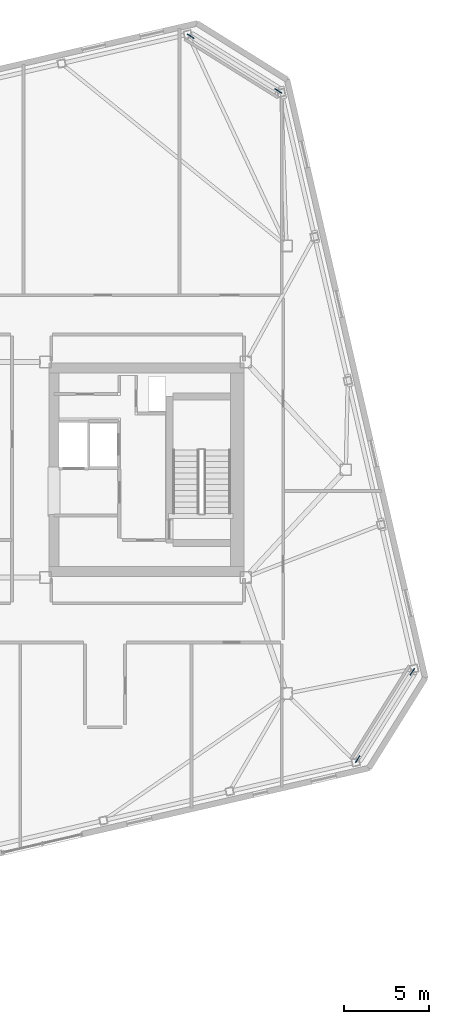
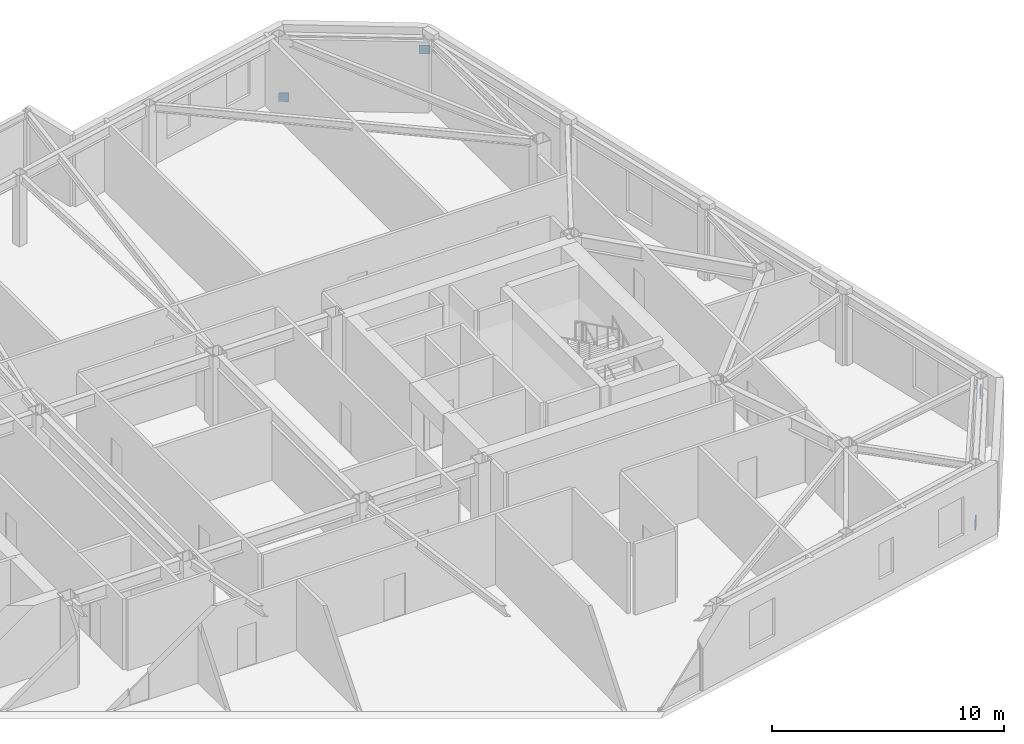
# One storey, part 21 of 22: 4 discrete accessories.
"""IFC4 building model written with IfcOpenShell, lengths in metres."""

from ifc_helpers import new_model, si_unit, direction, frame, origin, origin_2d, place, context, subcontext, project, spatial, rectangle, extrude, material, type_object, element, save


model = new_model("IFC4")

# Units and contexts
model_context = context("Model", 3, precision=1e-05, world=origin(), true_north=direction((0.0, 1.0)))
body_context = subcontext(model_context, "Body", "Model", "MODEL_VIEW")
ifc_project = project(units=[si_unit("LENGTHUNIT", "METRE"), si_unit("AREAUNIT", "SQUARE_METRE"), si_unit("VOLUMEUNIT", "CUBIC_METRE"), si_unit("PLANEANGLEUNIT", "RADIAN"), si_unit("MASSUNIT", "GRAM", prefix="KILO")], contexts=[model_context])

# Site, building, storey
site_placement = place(None, origin())
site = spatial("IfcSite", under=ifc_project, at=site_placement, CompositionType="ELEMENT")
building_placement = place(site_placement, origin())
building = spatial("IfcBuilding", under=site, at=building_placement, Name="Tavrogorsk Clinical Tower", CompositionType="ELEMENT")
storey_placement = place(building_placement, frame((0.0, 0.0, 317.0)))
storey = spatial("IfcBuildingStorey", under=building, at=storey_placement, Name="L74", CompositionType="ELEMENT", Elevation=317.0)

# Discrete accessories
ifc_material = material(Name="Structural steel S440", Category="steel")
discrete_accessory_type = type_object("IfcDiscreteAccessoryType", Name="GussetPlateBracket_25", PredefinedType="BRACKET", material=ifc_material)
for number, where, z_axis, x_axis, name in (
    (1, (28.70166015625, -17.063720703125, 0.163330078125), (0.0, 0.0, 1.0), (0.529919264233, 0.848048096156, 0.0), "L74 Brace Gusset Plate EXOCRN-L74-1-A"),
    (2, (31.9228515625, -11.9091796875, 2.81689453125), (0.0, 0.0, 1.0), (0.529919264233, 0.848048096156, 0.0), "L74 Brace Gusset Plate EXOCRN-L74-1-B"),
    (3, (18.86279296875, 25.55322265625, 0.163330078125), (0.0, 0.0, 1.0), (0.848048096156, -0.529919264233, 0.0), "L74 Brace Gusset Plate EXOCRN-L74-2-A"),
    (4, (24.017578125, 22.332275390625, 2.81689453125), (0.0, 0.0, 1.0), (0.848048096156, -0.529919264233, 0.0), "L74 Brace Gusset Plate EXOCRN-L74-2-B"),
):
    element("IfcDiscreteAccessory", number, at=place(storey_placement, frame(where, z_axis=z_axis, x_axis=x_axis)), inside=storey, type_object=discrete_accessory_type, Name=name, PredefinedType="BRACKET", context=body_context, shape_type="SweptSolid", body=[
        extrude(rectangle(XDim=0.4599609375, YDim=0.0400390625, at=origin_2d()), origin(), (0.0, 0.0, 1.0), 0.4599609375),
    ])

save(model, "model.ifc")
